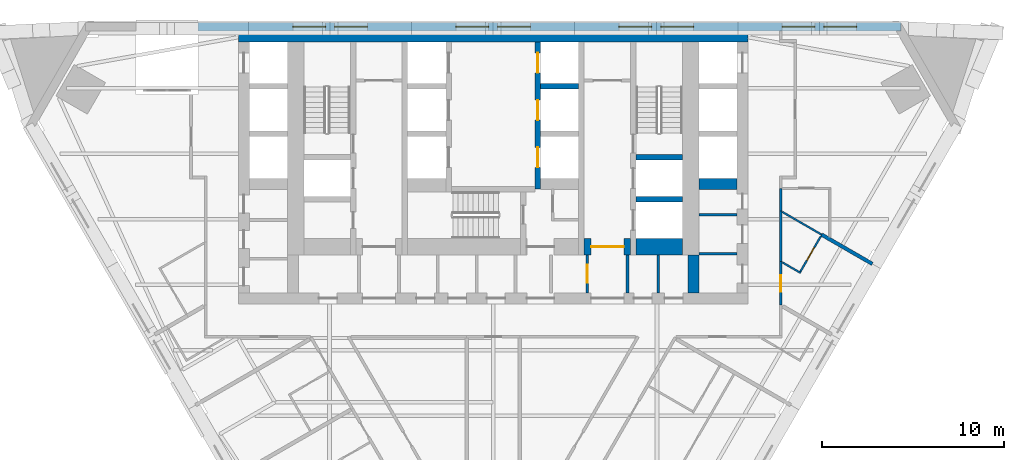
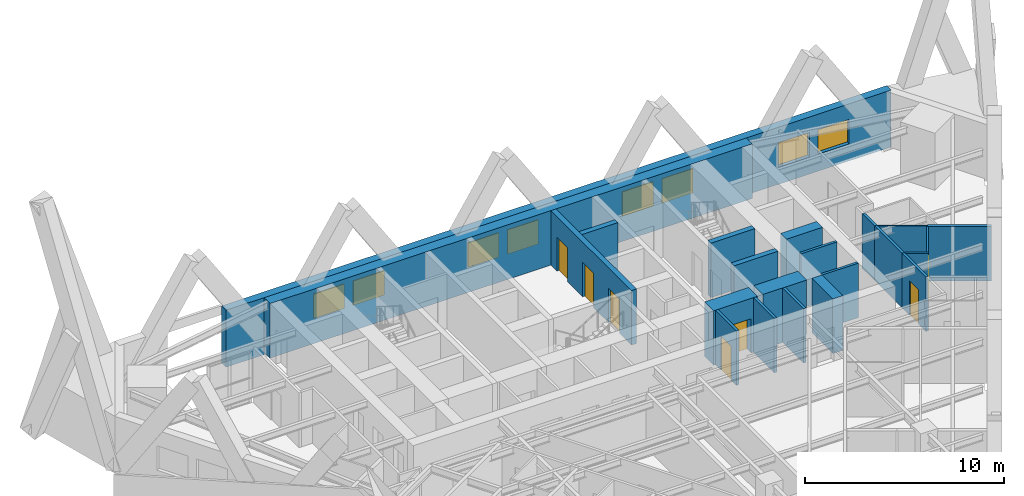
# One storey, part 8 of 11: 22 walls, 8 windows, 7 doors, 15 openings.
"""IFC4 building model written with IfcOpenShell, lengths in metres."""

from ifc_helpers import new_model, si_unit, direction, frame, frame_2d, origin, place, context, subcontext, project, spatial, polyline, rectangle, outline, extrude, material, layer, layer_set, type_object, element, fill, save


model = new_model("IFC4")

# Units and contexts
model_context = context("Model", 3, precision=1e-05, world=origin(), true_north=direction((0.0, 1.0)))
body_context = subcontext(model_context, "Body", "Model", "MODEL_VIEW")
ifc_project = project(units=[si_unit("LENGTHUNIT", "METRE"), si_unit("AREAUNIT", "SQUARE_METRE"), si_unit("VOLUMEUNIT", "CUBIC_METRE"), si_unit("PLANEANGLEUNIT", "RADIAN"), si_unit("MASSUNIT", "GRAM", prefix="KILO")], contexts=[model_context])

# Site, building, storey
site_placement = place(None, origin())
site = spatial("IfcSite", under=ifc_project, at=site_placement, CompositionType="ELEMENT")
building_placement = place(site_placement, origin())
building = spatial("IfcBuilding", under=site, at=building_placement, Name="Aloe Facet Convention Tower", CompositionType="ELEMENT")
storey_placement = place(building_placement, frame((0.0, 0.0, 49.0)))
storey = spatial("IfcBuildingStorey", under=building, at=storey_placement, Name="L10", CompositionType="ELEMENT", Elevation=49.0)

# Wall, opening, door
ifc_material_1 = material(Name="Concrete blockwork partition", Category="masonry")
ifc_layer_1 = layer(ifc_material_1, 0.14990234375)
ifc_layer_set_1 = layer_set([ifc_layer_1], Name="CR-W-PART150")
wall_type_1 = type_object("IfcWallType", Name="CR-W-PART150", PredefinedType="PARTITIONING", material=ifc_layer_set_1)
wall_1_placement = place(storey_placement, frame((85.175048828125, 122.25, 0.0), z_axis=(0.0, 0.0, 1.0), x_axis=(0.0, -1.0, 0.0)))
wall_1 = element("IfcWall", 1, at=wall_1_placement, inside=storey, type_object=wall_type_1, Name="Core partition L10-041", PredefinedType="PARTITIONING", context=body_context, shape_type="SweptSolid", body=[
    extrude(rectangle(XDim=2.10009765625, YDim=0.14990234375, at=frame_2d((1.050048828125, 0.0))), origin(), (0.0, 0.0, 1.0), 3.35009765625),
])
opening_1_placement = place(wall_1_placement, frame((0.550048828125, 0.0, 0.0)))
opening_1 = element("IfcOpeningElement", 2, at=opening_1_placement, cuts=wall_1, Name="Opening L10-CD28", PredefinedType="OPENING", context=body_context, shape_type="SweptSolid", body=[
    extrude(rectangle(XDim=1.0, YDim=2.10009765625, at=frame_2d((0.5, 1.050048828125))), frame((0.0, 0.0849609375, 0.0), z_axis=(0.0, -1.0, 0.0), x_axis=(1.0, 0.0, 0.0)), (0.0, 0.0, 1.0), 0.169921875),
])
ifc_material_2 = material(Name="Steel fire-resisting door set FD60", Category="steel")
door_type_1 = type_object("IfcDoorType", Name="CR-D-ROOM-1000-FD60-SRIGHT", OperationType="SINGLE_SWING_RIGHT", PredefinedType="DOOR", material=ifc_material_2)
door_1_placement = place(opening_1_placement, origin())
door_1 = element("IfcDoor", 3, at=door_1_placement, inside=storey, type_object=door_type_1, Name="Core door L10-CD28", OperationType="SINGLE_SWING_RIGHT", OverallHeight=2.10009765625, OverallWidth=1.0, PredefinedType="DOOR", context=body_context, shape_type="SweptSolid", body=[
    extrude(rectangle(XDim=1.0, YDim=2.10009765625, at=frame_2d((0.5, 1.050048828125))), frame((0.0, 0.02490234375, 0.0), z_axis=(0.0, -1.0, 0.0), x_axis=(1.0, 0.0, 0.0)), (0.0, 0.0, 1.0), 0.050048828125),
])
fill(opening_1, door_1)

# Walls
for number, where, z_axis, x_axis, name in (
    (4, (87.375, 122.25, 0.0), (0.0, 0.0, 1.0), (0.0, -1.0, 0.0), "Core partition L10-042"),
    (5, (89.074951171875, 122.25, 0.0), (0.0, 0.0, 1.0), (0.0, -1.0, 0.0), "Core partition L10-047"),
):
    element("IfcWall", number, at=place(storey_placement, frame(where, z_axis=z_axis, x_axis=x_axis)), inside=storey, type_object=wall_type_1, Name=name, PredefinedType="PARTITIONING", context=body_context, shape_type="SweptSolid", body=[
        extrude(rectangle(XDim=2.10009765625, YDim=0.14990234375, at=frame_2d((1.050048828125, 0.0))), origin(), (0.0, 0.0, 1.0), 3.35009765625),
    ])
for number, where, z_axis, x_axis, name in (
    (6, (91.300048828125, 124.44873046875, 0.0), (0.0, 0.0, 1.0), (1.0, 0.0, 0.0), "Core partition L10-053"),
    (7, (91.300048828125, 122.309326171875, 0.0), (0.0, 0.0, 1.0), (1.0, 0.0, 0.0), "Core partition L10-054"),
):
    element("IfcWall", number, at=place(storey_placement, frame(where, z_axis=z_axis, x_axis=x_axis)), inside=storey, type_object=wall_type_1, Name=name, PredefinedType="PARTITIONING", context=body_context, shape_type="SweptSolid", body=[
        extrude(rectangle(XDim=2.099853515625, YDim=0.14990234375, at=frame_2d((1.0498046875, 0.0))), origin(), (0.0, 0.0, 1.0), 3.35009765625),
    ])

# Wall, openings, doors
ifc_material_3 = material(Name="Concrete C80/95", Category="concrete")
ifc_layer_2 = layer(ifc_material_3, 0.300048828125)
ifc_layer_set_2 = layer_set([ifc_layer_2], Name="CR-W-RC300-C8095")
wall_type_2 = type_object("IfcWallType", Name="CR-W-RC300-C8095", PredefinedType="SOLIDWALL", material=ifc_layer_set_2)
wall_2_placement = place(storey_placement, frame((82.449951171875, 133.949951171875, 0.0), z_axis=(0.0, 0.0, 1.0), x_axis=(0.0, -1.0, 0.0)))
wall_2 = element("IfcWall", 8, at=wall_2_placement, inside=storey, type_object=wall_type_2, Name="Core wall L10-031", PredefinedType="SOLIDWALL", context=body_context, shape_type="SweptSolid", body=[
    extrude(rectangle(XDim=8.099853515625, YDim=0.300048828125, at=frame_2d((4.0498046875, 0.0))), origin(), (0.0, 0.0, 1.0), 3.35009765625),
])
opening_2_placement = place(wall_2_placement, frame((0.60009765625, 0.0, 0.0)))
opening_2 = element("IfcOpeningElement", 9, at=opening_2_placement, cuts=wall_2, Name="Opening LD-A4-L10", PredefinedType="OPENING", context=body_context, shape_type="SweptSolid", body=[
    extrude(rectangle(XDim=1.10009765625, YDim=2.10009765625, at=frame_2d((0.550048828125, 1.050048828125))), frame((0.0, 0.16015625, 0.0), z_axis=(0.0, -1.0, 0.0), x_axis=(1.0, 0.0, 0.0)), (0.0, 0.0, 1.0), 0.320068359375),
])
opening_3_placement = place(wall_2_placement, frame((3.199951171875, 0.0, 0.0)))
opening_3 = element("IfcOpeningElement", 10, at=opening_3_placement, cuts=wall_2, Name="Opening LD-A5-L10", PredefinedType="OPENING", context=body_context, shape_type="SweptSolid", body=[
    extrude(rectangle(XDim=1.10009765625, YDim=2.10009765625, at=frame_2d((0.550048828125, 1.050048828125))), frame((0.0, 0.16015625, 0.0), z_axis=(0.0, -1.0, 0.0), x_axis=(1.0, 0.0, 0.0)), (0.0, 0.0, 1.0), 0.320068359375),
])
opening_4_placement = place(wall_2_placement, frame((5.800048828125, 0.0, 0.0)))
opening_4 = element("IfcOpeningElement", 11, at=opening_4_placement, cuts=wall_2, Name="Opening LD-A6-L10", PredefinedType="OPENING", context=body_context, shape_type="SweptSolid", body=[
    extrude(rectangle(XDim=1.10009765625, YDim=2.10009765625, at=frame_2d((0.550048828125, 1.050048828125))), frame((0.0, 0.16015625, 0.0), z_axis=(0.0, -1.0, 0.0), x_axis=(1.0, 0.0, 0.0)), (0.0, 0.0, 1.0), 0.320068359375),
])
ifc_material_4 = material(Name="Stainless steel sliding landing door", Category="steel")
door_type_2 = type_object("IfcDoorType", Name="CR-LD-1100-FD60-_LEFT", OperationType="SLIDING_TO_LEFT", PredefinedType="DOOR", material=ifc_material_4)
door_2_placement = place(opening_2_placement, origin())
door_2 = element("IfcDoor", 12, at=door_2_placement, inside=storey, type_object=door_type_2, Name="Landing door A4 L10", OperationType="SLIDING_TO_LEFT", OverallHeight=2.10009765625, OverallWidth=1.10009765625, PredefinedType="DOOR", context=body_context, shape_type="SweptSolid", body=[
    extrude(rectangle(XDim=1.10009765625, YDim=2.10009765625, at=frame_2d((0.550048828125, 1.050048828125))), frame((0.0, 0.02490234375, 0.0), z_axis=(0.0, -1.0, 0.0), x_axis=(1.0, 0.0, 0.0)), (0.0, 0.0, 1.0), 0.050048828125),
])
fill(opening_2, door_2)
door_3_placement = place(opening_3_placement, origin())
door_3 = element("IfcDoor", 13, at=door_3_placement, inside=storey, type_object=door_type_2, Name="Landing door A5 L10", OperationType="SLIDING_TO_LEFT", OverallHeight=2.10009765625, OverallWidth=1.10009765625, PredefinedType="DOOR", context=body_context, shape_type="SweptSolid", body=[
    extrude(rectangle(XDim=1.10009765625, YDim=2.10009765625, at=frame_2d((0.550048828125, 1.050048828125))), frame((0.0, 0.02490234375, 0.0), z_axis=(0.0, -1.0, 0.0), x_axis=(1.0, 0.0, 0.0)), (0.0, 0.0, 1.0), 0.050048828125),
])
fill(opening_3, door_3)
door_4_placement = place(opening_4_placement, origin())
door_4 = element("IfcDoor", 14, at=door_4_placement, inside=storey, type_object=door_type_2, Name="Landing door A6 L10", OperationType="SLIDING_TO_LEFT", OverallHeight=2.10009765625, OverallWidth=1.10009765625, PredefinedType="DOOR", context=body_context, shape_type="SweptSolid", body=[
    extrude(rectangle(XDim=1.10009765625, YDim=2.10009765625, at=frame_2d((0.550048828125, 1.050048828125))), frame((0.0, 0.02490234375, 0.0), z_axis=(0.0, -1.0, 0.0), x_axis=(1.0, 0.0, 0.0)), (0.0, 0.0, 1.0), 0.050048828125),
])
fill(opening_4, door_4)

# Walls
wall_3_placement = place(storey_placement, frame((82.60009765625, 131.5, 0.0), z_axis=(0.0, 0.0, 1.0), x_axis=(1.0, 0.0, 0.0)))
element("IfcWall", 15, at=wall_3_placement, inside=storey, type_object=wall_type_2, Name="Core wall L10-032", PredefinedType="SOLIDWALL", context=body_context, shape_type="SweptSolid", body=[
    extrude(rectangle(XDim=2.099853515625, YDim=0.300048828125, at=frame_2d((1.0498046875, 0.0))), origin(), (0.0, 0.0, 1.0), 3.35009765625),
])
for number, where, z_axis, x_axis, name in (
    (16, (87.85009765625, 127.60009765625, 0.0), (0.0, 0.0, 1.0), (1.0, 0.0, 0.0), "Core wall L10-044"),
    (17, (87.85009765625, 125.300048828125, 0.0), (0.0, 0.0, 1.0), (1.0, 0.0, 0.0), "Core wall L10-045"),
):
    element("IfcWall", number, at=place(storey_placement, frame(where, z_axis=z_axis, x_axis=x_axis)), inside=storey, type_object=wall_type_2, Name=name, PredefinedType="SOLIDWALL", context=body_context, shape_type="SweptSolid", body=[
        extrude(rectangle(XDim=2.5498046875, YDim=0.300048828125, at=frame_2d((1.27490234375, 0.0))), origin(), (0.0, 0.0, 1.0), 3.35009765625),
    ])
ifc_material_5 = material(Name="Concrete C80/95", Category="concrete")
ifc_layer_3 = layer(ifc_material_5, 0.60009765625)
ifc_layer_set_3 = layer_set([ifc_layer_3], Name="CR-W-RC600-C8095")
wall_type_3 = type_object("IfcWallType", Name="CR-W-RC600-C8095", PredefinedType="SOLIDWALL", material=ifc_layer_set_3)
wall_4_placement = place(storey_placement, frame((66.0, 134.25, 0.0), z_axis=(0.0, 0.0, 1.0), x_axis=(1.0, 0.0, 0.0)))
element("IfcWall", 18, at=wall_4_placement, inside=storey, type_object=wall_type_3, Name="Core wall L10-001", PredefinedType="SOLIDWALL", context=body_context, shape_type="SweptSolid", body=[
    extrude(rectangle(XDim=28.0, YDim=0.60009765625, at=frame_2d((14.0, 0.0))), origin(), (0.0, 0.0, 1.0), 3.35009765625),
])
wall_5_placement = place(storey_placement, frame((91.0, 122.25, 0.0), z_axis=(0.0, 0.0, 1.0), x_axis=(0.0, -1.0, 0.0)))
element("IfcWall", 19, at=wall_5_placement, inside=storey, type_object=wall_type_3, Name="Core wall L10-049", PredefinedType="SOLIDWALL", context=body_context, shape_type="SweptSolid", body=[
    extrude(rectangle(XDim=2.10009765625, YDim=0.60009765625, at=frame_2d((1.050048828125, 0.0))), origin(), (0.0, 0.0, 1.0), 3.35009765625),
])
wall_6_placement = place(storey_placement, frame((91.300048828125, 126.14990234375, 0.0), z_axis=(0.0, 0.0, 1.0), x_axis=(1.0, 0.0, 0.0)))
element("IfcWall", 20, at=wall_6_placement, inside=storey, type_object=wall_type_3, Name="Core wall L10-052", PredefinedType="SOLIDWALL", context=body_context, shape_type="SweptSolid", body=[
    extrude(rectangle(XDim=2.099853515625, YDim=0.60009765625, at=frame_2d((1.0498046875, 0.0))), origin(), (0.0, 0.0, 1.0), 3.35009765625),
])

# Wall, opening, door
ifc_material_6 = material(Name="Concrete C80/95", Category="concrete")
ifc_layer_4 = layer(ifc_material_6, 0.89990234375)
ifc_layer_set_4 = layer_set([ifc_layer_4], Name="CR-W-RC900-C8095")
wall_type_4 = type_object("IfcWallType", Name="CR-W-RC900-C8095", PredefinedType="SOLIDWALL", material=ifc_layer_set_4)
wall_7_placement = place(storey_placement, frame((85.0, 122.699951171875, 0.0), z_axis=(0.0, 0.0, 1.0), x_axis=(1.0, 0.0, 0.0)))
wall_7 = element("IfcWall", 21, at=wall_7_placement, inside=storey, type_object=wall_type_4, Name="Core wall L10-040", PredefinedType="SOLIDWALL", context=body_context, shape_type="SweptSolid", body=[
    extrude(rectangle(XDim=2.550048828125, YDim=0.89990234375, at=frame_2d((1.27490234375, 0.0))), origin(), (0.0, 0.0, 1.0), 3.35009765625),
])
opening_5_placement = place(wall_7_placement, frame((0.375, 0.0, 0.0)))
opening_5 = element("IfcOpeningElement", 22, at=opening_5_placement, cuts=wall_7, Name="Opening L10-CD14", PredefinedType="OPENING", context=body_context, shape_type="SweptSolid", body=[
    extrude(rectangle(XDim=1.800048828125, YDim=2.10009765625, at=frame_2d((0.89990234375, 1.050048828125))), frame((0.0, 0.4599609375, 0.0), z_axis=(0.0, -1.0, 0.0), x_axis=(1.0, 0.0, 0.0)), (0.0, 0.0, 1.0), 0.919921875),
])
ifc_material_7 = material(Name="Steel fire-resisting door set FD120", Category="steel")
door_type_3 = type_object("IfcDoorType", Name="CR-D-EXIT-1800-FD120-DD", OperationType="DOUBLE_DOOR_DOUBLE_SWING", PredefinedType="DOOR", material=ifc_material_7)
door_5_placement = place(opening_5_placement, origin())
door_5 = element("IfcDoor", 23, at=door_5_placement, inside=storey, type_object=door_type_3, Name="Core door L10-CD14", OperationType="DOUBLE_DOOR_DOUBLE_SWING", OverallHeight=2.10009765625, OverallWidth=1.800048828125, PredefinedType="DOOR", context=body_context, shape_type="SweptSolid", body=[
    extrude(rectangle(XDim=1.800048828125, YDim=2.10009765625, at=frame_2d((0.89990234375, 1.050048828125))), frame((0.0, 0.02490234375, 0.0), z_axis=(0.0, -1.0, 0.0), x_axis=(1.0, 0.0, 0.0)), (0.0, 0.0, 1.0), 0.050048828125),
])
fill(opening_5, door_5)

# Wall
wall_8_placement = place(storey_placement, frame((87.85009765625, 122.699951171875, 0.0), z_axis=(0.0, 0.0, 1.0), x_axis=(1.0, 0.0, 0.0)))
element("IfcWall", 24, at=wall_8_placement, inside=storey, type_object=wall_type_4, Name="Core wall L10-046", PredefinedType="SOLIDWALL", context=body_context, shape_type="SweptSolid", body=[
    extrude(rectangle(XDim=2.5498046875, YDim=0.89990234375, at=frame_2d((1.27490234375, 0.0))), origin(), (0.0, 0.0, 1.0), 3.35009765625),
])

# Wall, openings, windows
ifc_material_8 = material(Name="Precast concrete C40/50", Category="concrete")
ifc_layer_5 = layer(ifc_material_8, 0.449951171875)
ifc_layer_set_5 = layer_set([ifc_layer_5], Name="EV-WALL-STONE")
wall_type_5 = type_object("IfcWallType", Name="EV-WALL-STONE", PredefinedType="SOLIDWALL", material=ifc_layer_set_5)
wall_9_placement = place(storey_placement, frame((102.39990234375, 134.77490234375, -0.14990234375), z_axis=(0.0, 0.0, 1.0), x_axis=(-1.0, 0.0, 0.0)))
wall_9 = element("IfcWall", 25, at=wall_9_placement, inside=storey, type_object=wall_type_5, Name="EW-L10-N01", PredefinedType="SOLIDWALL", context=body_context, shape_type="SweptSolid", body=[
    extrude(outline(polyline([(0.0, 0.0), (0.0, 3.5), (38.6201171875, 3.5), (38.6201171875, 0.0), (0.0, 0.0)])), frame((0.0, 0.22509765625, 0.0), z_axis=(0.0, -1.0, 0.0), x_axis=(1.0, 0.0, 0.0)), (0.0, 0.0, 1.0), 0.449951171875),
])
opening_6_placement = place(wall_9_placement, frame((2.429931640625, 0.0, 1.050048828125)))
opening_6 = element("IfcOpeningElement", 26, at=opening_6_placement, cuts=wall_9, Name="Opening W-L10-N01", PredefinedType="OPENING", context=body_context, shape_type="SweptSolid", body=[
    extrude(rectangle(XDim=1.800048828125, YDim=1.5, at=frame_2d((0.89990234375, 0.75))), frame((0.0, 0.23486328125, 0.0), z_axis=(0.0, -1.0, 0.0), x_axis=(1.0, 0.0, 0.0)), (0.0, 0.0, 1.0), 0.469970703125),
])
opening_7_placement = place(wall_9_placement, frame((4.72998046875, 0.0, 1.050048828125)))
opening_7 = element("IfcOpeningElement", 27, at=opening_7_placement, cuts=wall_9, Name="Opening W-L10-N02", PredefinedType="OPENING", context=body_context, shape_type="SweptSolid", body=[
    extrude(rectangle(XDim=1.800048828125, YDim=1.5, at=frame_2d((0.89990234375, 0.75))), frame((0.0, 0.23486328125, 0.0), z_axis=(0.0, -1.0, 0.0), x_axis=(1.0, 0.0, 0.0)), (0.0, 0.0, 1.0), 0.469970703125),
])
opening_8_placement = place(wall_9_placement, frame((11.389892578125, 0.0, 1.050048828125)))
opening_8 = element("IfcOpeningElement", 28, at=opening_8_placement, cuts=wall_9, Name="Opening W-L10-N03", PredefinedType="OPENING", context=body_context, shape_type="SweptSolid", body=[
    extrude(rectangle(XDim=1.800048828125, YDim=1.5, at=frame_2d((0.89990234375, 0.75))), frame((0.0, 0.23486328125, 0.0), z_axis=(0.0, -1.0, 0.0), x_axis=(1.0, 0.0, 0.0)), (0.0, 0.0, 1.0), 0.469970703125),
])
opening_9_placement = place(wall_9_placement, frame((13.68994140625, 0.0, 1.050048828125)))
opening_9 = element("IfcOpeningElement", 29, at=opening_9_placement, cuts=wall_9, Name="Opening W-L10-N04", PredefinedType="OPENING", context=body_context, shape_type="SweptSolid", body=[
    extrude(rectangle(XDim=1.800048828125, YDim=1.5, at=frame_2d((0.89990234375, 0.75))), frame((0.0, 0.23486328125, 0.0), z_axis=(0.0, -1.0, 0.0), x_axis=(1.0, 0.0, 0.0)), (0.0, 0.0, 1.0), 0.469970703125),
])
opening_10_placement = place(wall_9_placement, frame((20.35009765625, 0.0, 1.050048828125)))
opening_10 = element("IfcOpeningElement", 30, at=opening_10_placement, cuts=wall_9, Name="Opening W-L10-N05", PredefinedType="OPENING", context=body_context, shape_type="SweptSolid", body=[
    extrude(rectangle(XDim=1.800048828125, YDim=1.5, at=frame_2d((0.89990234375, 0.75))), frame((0.0, 0.23486328125, 0.0), z_axis=(0.0, -1.0, 0.0), x_axis=(1.0, 0.0, 0.0)), (0.0, 0.0, 1.0), 0.469970703125),
])
opening_11_placement = place(wall_9_placement, frame((22.64990234375, 0.0, 1.050048828125)))
opening_11 = element("IfcOpeningElement", 31, at=opening_11_placement, cuts=wall_9, Name="Opening W-L10-N06", PredefinedType="OPENING", context=body_context, shape_type="SweptSolid", body=[
    extrude(rectangle(XDim=1.800048828125, YDim=1.5, at=frame_2d((0.89990234375, 0.75))), frame((0.0, 0.23486328125, 0.0), z_axis=(0.0, -1.0, 0.0), x_axis=(1.0, 0.0, 0.0)), (0.0, 0.0, 1.0), 0.469970703125),
])
opening_12_placement = place(wall_9_placement, frame((29.31005859375, 0.0, 1.050048828125)))
opening_12 = element("IfcOpeningElement", 32, at=opening_12_placement, cuts=wall_9, Name="Opening W-L10-N07", PredefinedType="OPENING", context=body_context, shape_type="SweptSolid", body=[
    extrude(rectangle(XDim=1.800048828125, YDim=1.5, at=frame_2d((0.89990234375, 0.75))), frame((0.0, 0.23486328125, 0.0), z_axis=(0.0, -1.0, 0.0), x_axis=(1.0, 0.0, 0.0)), (0.0, 0.0, 1.0), 0.469970703125),
])
opening_13_placement = place(wall_9_placement, frame((31.610107421875, 0.0, 1.050048828125)))
opening_13 = element("IfcOpeningElement", 33, at=opening_13_placement, cuts=wall_9, Name="Opening W-L10-N08", PredefinedType="OPENING", context=body_context, shape_type="SweptSolid", body=[
    extrude(rectangle(XDim=1.800048828125, YDim=1.5, at=frame_2d((0.89990234375, 0.75))), frame((0.0, 0.23486328125, 0.0), z_axis=(0.0, -1.0, 0.0), x_axis=(1.0, 0.0, 0.0)), (0.0, 0.0, 1.0), 0.469970703125),
])
ifc_material_9 = material(Name="Aluminium frame, clear double glazing", Category="aluminium")
window_type = type_object("IfcWindowType", Name="EV-WIN-H18", PartitioningType="SINGLE_PANEL", PredefinedType="WINDOW", material=ifc_material_9)
window_1_placement = place(opening_6_placement, origin())
window_1 = element("IfcWindow", 34, at=window_1_placement, inside=storey, type_object=window_type, Name="W-L10-N01", OverallHeight=1.5, OverallWidth=1.800048828125, PartitioningType="SINGLE_PANEL", PredefinedType="WINDOW", context=body_context, shape_type="SweptSolid", body=[
    extrude(rectangle(XDim=1.800048828125, YDim=1.5, at=frame_2d((0.89990234375, 0.75))), frame((0.0, 0.030029296875, 0.0), z_axis=(0.0, -1.0, 0.0), x_axis=(1.0, 0.0, 0.0)), (0.0, 0.0, 1.0), 0.06005859375),
])
fill(opening_6, window_1)
window_2_placement = place(opening_7_placement, origin())
window_2 = element("IfcWindow", 35, at=window_2_placement, inside=storey, type_object=window_type, Name="W-L10-N02", OverallHeight=1.5, OverallWidth=1.800048828125, PartitioningType="SINGLE_PANEL", PredefinedType="WINDOW", context=body_context, shape_type="SweptSolid", body=[
    extrude(rectangle(XDim=1.800048828125, YDim=1.5, at=frame_2d((0.89990234375, 0.75))), frame((0.0, 0.030029296875, 0.0), z_axis=(0.0, -1.0, 0.0), x_axis=(1.0, 0.0, 0.0)), (0.0, 0.0, 1.0), 0.06005859375),
])
fill(opening_7, window_2)
window_3_placement = place(opening_8_placement, origin())
window_3 = element("IfcWindow", 36, at=window_3_placement, inside=storey, type_object=window_type, Name="W-L10-N03", OverallHeight=1.5, OverallWidth=1.800048828125, PartitioningType="SINGLE_PANEL", PredefinedType="WINDOW", context=body_context, shape_type="SweptSolid", body=[
    extrude(rectangle(XDim=1.800048828125, YDim=1.5, at=frame_2d((0.89990234375, 0.75))), frame((0.0, 0.030029296875, 0.0), z_axis=(0.0, -1.0, 0.0), x_axis=(1.0, 0.0, 0.0)), (0.0, 0.0, 1.0), 0.06005859375),
])
fill(opening_8, window_3)
window_4_placement = place(opening_9_placement, origin())
window_4 = element("IfcWindow", 37, at=window_4_placement, inside=storey, type_object=window_type, Name="W-L10-N04", OverallHeight=1.5, OverallWidth=1.800048828125, PartitioningType="SINGLE_PANEL", PredefinedType="WINDOW", context=body_context, shape_type="SweptSolid", body=[
    extrude(rectangle(XDim=1.800048828125, YDim=1.5, at=frame_2d((0.89990234375, 0.75))), frame((0.0, 0.030029296875, 0.0), z_axis=(0.0, -1.0, 0.0), x_axis=(1.0, 0.0, 0.0)), (0.0, 0.0, 1.0), 0.06005859375),
])
fill(opening_9, window_4)
window_5_placement = place(opening_10_placement, origin())
window_5 = element("IfcWindow", 38, at=window_5_placement, inside=storey, type_object=window_type, Name="W-L10-N05", OverallHeight=1.5, OverallWidth=1.800048828125, PartitioningType="SINGLE_PANEL", PredefinedType="WINDOW", context=body_context, shape_type="SweptSolid", body=[
    extrude(rectangle(XDim=1.800048828125, YDim=1.5, at=frame_2d((0.89990234375, 0.75))), frame((0.0, 0.030029296875, 0.0), z_axis=(0.0, -1.0, 0.0), x_axis=(1.0, 0.0, 0.0)), (0.0, 0.0, 1.0), 0.06005859375),
])
fill(opening_10, window_5)
window_6_placement = place(opening_11_placement, origin())
window_6 = element("IfcWindow", 39, at=window_6_placement, inside=storey, type_object=window_type, Name="W-L10-N06", OverallHeight=1.5, OverallWidth=1.800048828125, PartitioningType="SINGLE_PANEL", PredefinedType="WINDOW", context=body_context, shape_type="SweptSolid", body=[
    extrude(rectangle(XDim=1.800048828125, YDim=1.5, at=frame_2d((0.89990234375, 0.75))), frame((0.0, 0.030029296875, 0.0), z_axis=(0.0, -1.0, 0.0), x_axis=(1.0, 0.0, 0.0)), (0.0, 0.0, 1.0), 0.06005859375),
])
fill(opening_11, window_6)
window_7_placement = place(opening_12_placement, origin())
window_7 = element("IfcWindow", 40, at=window_7_placement, inside=storey, type_object=window_type, Name="W-L10-N07", OverallHeight=1.5, OverallWidth=1.800048828125, PartitioningType="SINGLE_PANEL", PredefinedType="WINDOW", context=body_context, shape_type="SweptSolid", body=[
    extrude(rectangle(XDim=1.800048828125, YDim=1.5, at=frame_2d((0.89990234375, 0.75))), frame((0.0, 0.030029296875, 0.0), z_axis=(0.0, -1.0, 0.0), x_axis=(1.0, 0.0, 0.0)), (0.0, 0.0, 1.0), 0.06005859375),
])
fill(opening_12, window_7)
window_8_placement = place(opening_13_placement, origin())
window_8 = element("IfcWindow", 41, at=window_8_placement, inside=storey, type_object=window_type, Name="W-L10-N08", OverallHeight=1.5, OverallWidth=1.800048828125, PartitioningType="SINGLE_PANEL", PredefinedType="WINDOW", context=body_context, shape_type="SweptSolid", body=[
    extrude(rectangle(XDim=1.800048828125, YDim=1.5, at=frame_2d((0.89990234375, 0.75))), frame((0.0, 0.030029296875, 0.0), z_axis=(0.0, -1.0, 0.0), x_axis=(1.0, 0.0, 0.0)), (0.0, 0.0, 1.0), 0.06005859375),
])
fill(opening_13, window_8)

# Wall
ifc_material_10 = material(Name="Gypsum board partition on steel studs", Category="steel")
ifc_layer_6 = layer(ifc_material_10, 0.14990234375)
ifc_layer_set_6 = layer_set([ifc_layer_6], Name="IN-W-CORR")
wall_type_6 = type_object("IfcWallType", Name="IN-W-CORR", PredefinedType="PARTITIONING", material=ifc_layer_set_6)
wall_10_placement = place(storey_placement, frame((95.800048828125, 121.882568359375, 0.0), z_axis=(0.0, 0.0, 1.0), x_axis=(0.0, 1.0, 0.0)))
element("IfcWall", 42, at=wall_10_placement, inside=storey, type_object=wall_type_6, Name="Partition L10-W092", PredefinedType="PARTITIONING", context=body_context, shape_type="SweptSolid", body=[
    extrude(rectangle(XDim=2.771240234375, YDim=0.14990234375, at=frame_2d((1.3857421875, 0.0))), origin(), (0.0, 0.0, 1.0), 3.35009765625),
])

# Wall, opening, door
wall_11_placement = place(storey_placement, frame((95.800048828125, 119.480712890625, 0.0), z_axis=(0.0, 0.0, 1.0), x_axis=(0.0, 1.0, 0.0)))
wall_11 = element("IfcWall", 43, at=wall_11_placement, inside=storey, type_object=wall_type_6, Name="Partition L10-W093", PredefinedType="PARTITIONING", context=body_context, shape_type="SweptSolid", body=[
    extrude(rectangle(XDim=2.40185546875, YDim=0.14990234375, at=frame_2d((1.200927734375, 0.0))), origin(), (0.0, 0.0, 1.0), 3.35009765625),
])
opening_14_placement = place(wall_11_placement, frame((0.7509765625, 0.0, 0.0)))
opening_14 = element("IfcOpeningElement", 44, at=opening_14_placement, cuts=wall_11, Name="Opening L10-011", PredefinedType="OPENING", context=body_context, shape_type="SweptSolid", body=[
    extrude(rectangle(XDim=0.89990234375, YDim=2.10009765625, at=frame_2d((0.449951171875, 1.050048828125))), frame((0.0, 0.0849609375, 0.0), z_axis=(0.0, -1.0, 0.0), x_axis=(1.0, 0.0, 0.0)), (0.0, 0.0, 1.0), 0.169921875),
])
ifc_material_11 = material(Name="Hardwood flush door FD30S", Category="wood")
door_type_4 = type_object("IfcDoorType", Name="IN-D-GUEST", OperationType="SINGLE_SWING_LEFT", PredefinedType="DOOR", material=ifc_material_11)
door_6_placement = place(opening_14_placement, origin())
door_6 = element("IfcDoor", 45, at=door_6_placement, inside=storey, type_object=door_type_4, Name="Door L10-011", OperationType="SINGLE_SWING_LEFT", OverallHeight=2.10009765625, OverallWidth=0.89990234375, PredefinedType="DOOR", context=body_context, shape_type="SweptSolid", body=[
    extrude(rectangle(XDim=0.89990234375, YDim=2.10009765625, at=frame_2d((0.449951171875, 1.050048828125))), frame((0.0, 0.02490234375, 0.0), z_axis=(0.0, -1.0, 0.0), x_axis=(1.0, 0.0, 0.0)), (0.0, 0.0, 1.0), 0.050048828125),
])
fill(opening_14, door_6)

# Walls
wall_12_placement = place(storey_placement, frame((95.800048828125, 124.65380859375, 0.0), z_axis=(0.0, 0.0, 1.0), x_axis=(0.0, 1.0, 0.0)))
element("IfcWall", 46, at=wall_12_placement, inside=storey, type_object=wall_type_6, Name="Partition L10-W102", PredefinedType="PARTITIONING", context=body_context, shape_type="SweptSolid", body=[
    extrude(rectangle(XDim=1.2412109375, YDim=0.14990234375, at=frame_2d((0.62060546875, 0.0))), origin(), (0.0, 0.0, 1.0), 3.35009765625),
])
ifc_material_12 = material(Name="Gypsum board partition on steel studs", Category="steel")
ifc_layer_7 = layer(ifc_material_12, 0.10009765625)
ifc_layer_set_7 = layer_set([ifc_layer_7], Name="IN-W-PART")
wall_type_7 = type_object("IfcWallType", Name="IN-W-PART", PredefinedType="PARTITIONING", material=ifc_layer_set_7)
wall_13_placement = place(storey_placement, frame((95.88232421875, 121.835205078125, 0.0), z_axis=(0.0, 0.0, 1.0), x_axis=(0.86601174498, -0.500023656998, 0.0)))
element("IfcWall", 47, at=wall_13_placement, inside=storey, type_object=wall_type_7, Name="Partition L10-W090", PredefinedType="PARTITIONING", context=body_context, shape_type="SweptSolid", body=[
    extrude(rectangle(XDim=1.16943359375, YDim=0.10009765625, at=frame_2d((0.584716796875, 0.0))), origin(), (0.0, 0.0, 1.0), 3.35009765625),
])
wall_14_placement = place(storey_placement, frame((95.88232421875, 124.6064453125, 0.0), z_axis=(0.0, 0.0, 1.0), x_axis=(0.866039519639, -0.499975549825, 0.0)))
element("IfcWall", 48, at=wall_14_placement, inside=storey, type_object=wall_type_7, Name="Partition L10-W097", PredefinedType="PARTITIONING", context=body_context, shape_type="SweptSolid", body=[
    extrude(rectangle(XDim=2.505126953125, YDim=0.10009765625, at=frame_2d((1.25244140625, 0.0))), origin(), (0.0, 0.0, 1.0), 3.35009765625),
])

# Wall, opening, door
wall_15_placement = place(storey_placement, frame((96.876708984375, 121.318603515625, 0.0), z_axis=(0.0, 0.0, 1.0), x_axis=(0.499966648284, 0.866044658551, 0.0)))
wall_15 = element("IfcWall", 49, at=wall_15_placement, inside=storey, type_object=wall_type_7, Name="Partition L10-W098", PredefinedType="PARTITIONING", context=body_context, shape_type="SweptSolid", body=[
    extrude(rectangle(XDim=2.250244140625, YDim=0.10009765625, at=frame_2d((1.125, 0.0))), origin(), (0.0, 0.0, 1.0), 3.35009765625),
])
opening_15_placement = place(wall_15_placement, frame((0.72509765625, 0.0, 0.0)))
opening_15 = element("IfcOpeningElement", 50, at=opening_15_placement, cuts=wall_15, Name="Opening L10-028", PredefinedType="OPENING", context=body_context, shape_type="SweptSolid", body=[
    extrude(rectangle(XDim=0.800048828125, YDim=2.10009765625, at=frame_2d((0.39990234375, 1.050048828125))), frame((0.0, 0.06005859375, 0.0), z_axis=(0.0, -1.0, 0.0), x_axis=(1.0, 0.0, 0.0)), (0.0, 0.0, 1.0), 0.1201171875),
])
ifc_material_13 = material(Name="Timber flush door", Category="wood")
door_type_5 = type_object("IfcDoorType", Name="IN-D-BATH", OperationType="SINGLE_SWING_LEFT", PredefinedType="DOOR", material=ifc_material_13)
door_7_placement = place(opening_15_placement, origin())
door_7 = element("IfcDoor", 51, at=door_7_placement, inside=storey, type_object=door_type_5, Name="Door L10-028", OperationType="SINGLE_SWING_LEFT", OverallHeight=2.10009765625, OverallWidth=0.800048828125, PredefinedType="DOOR", context=body_context, shape_type="SweptSolid", body=[
    extrude(rectangle(XDim=0.800048828125, YDim=2.10009765625, at=frame_2d((0.39990234375, 1.050048828125))), frame((0.0, 0.02490234375, 0.0), z_axis=(0.0, -1.0, 0.0), x_axis=(1.0, 0.0, 0.0)), (0.0, 0.0, 1.0), 0.050048828125),
])
fill(opening_15, door_7)

# Wall
ifc_material_14 = material(Name="Gypsum board partition on steel studs", Category="steel")
ifc_layer_8 = layer(ifc_material_14, 0.199951171875)
ifc_layer_set_8 = layer_set([ifc_layer_8], Name="IN-W-PARTY")
wall_type_8 = type_object("IfcWallType", Name="IN-W-PARTY", PredefinedType="PARTITIONING", material=ifc_layer_set_8)
wall_16_placement = place(storey_placement, frame((98.0517578125, 123.35400390625, 0.0), z_axis=(0.0, 0.0, 1.0), x_axis=(0.866019585306, -0.500010077765, 0.0)))
element("IfcWall", 52, at=wall_16_placement, inside=storey, type_object=wall_type_8, Name="Partition L10-W099", PredefinedType="PARTITIONING", context=body_context, shape_type="SweptSolid", body=[
    extrude(rectangle(XDim=3.20849609375, YDim=0.199951171875, at=frame_2d((1.604248046875, 0.0))), origin(), (0.0, 0.0, 1.0), 3.35009765625),
])

save(model, "model.ifc")
